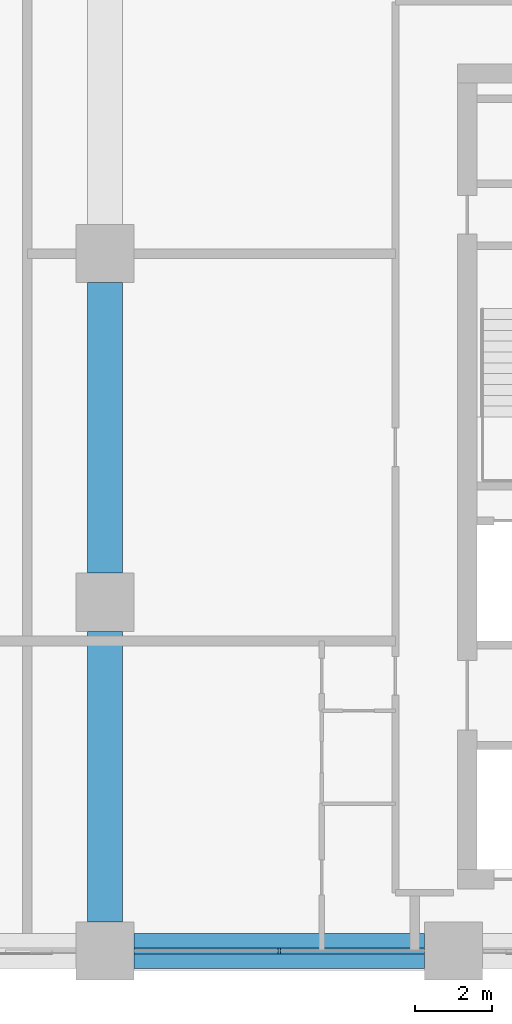
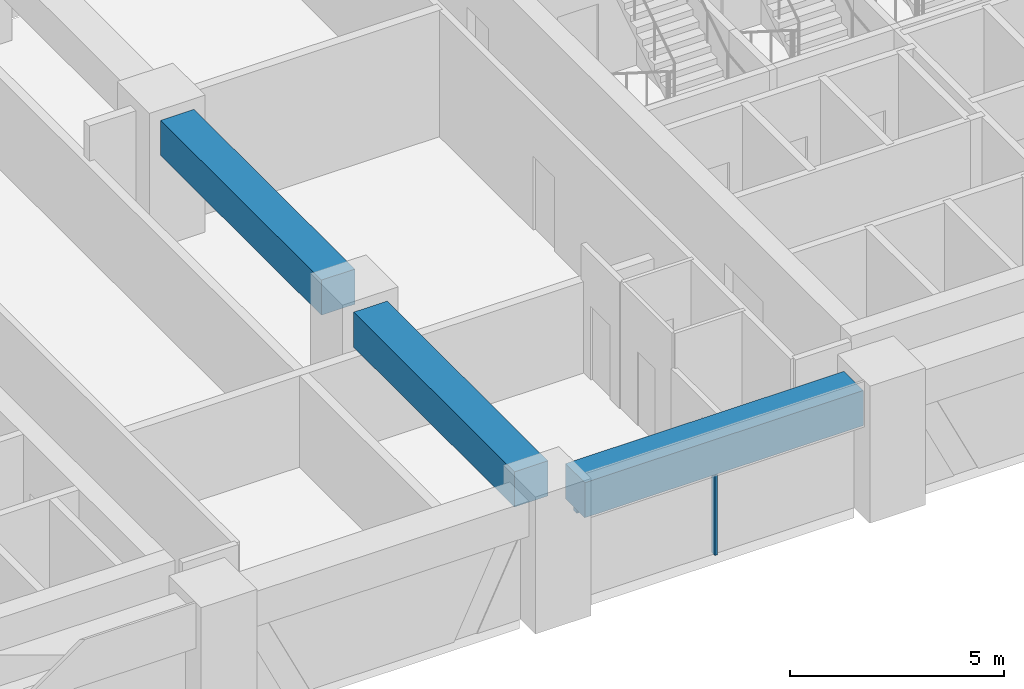
# One storey, part 3 of 14: 3 beams, 2 members, 1 element without a shape of its own.
"""IFC4 building model written with IfcOpenShell, lengths in metres."""

from ifc_helpers import new_model, si_unit, direction, frame, origin, origin_2d, place, context, subcontext, project, spatial, rectangle, extrude, material, material_profile, profile_set, type_object, element, aggregate, save


model = new_model("IFC4")

# Units and contexts
model_context = context("Model", 3, precision=1e-05, world=origin(), true_north=direction((0.0, 1.0)))
body_context = subcontext(model_context, "Body", "Model", "MODEL_VIEW")
ifc_project = project(units=[si_unit("LENGTHUNIT", "METRE"), si_unit("AREAUNIT", "SQUARE_METRE"), si_unit("VOLUMEUNIT", "CUBIC_METRE"), si_unit("PLANEANGLEUNIT", "RADIAN"), si_unit("MASSUNIT", "GRAM", prefix="KILO")], contexts=[model_context])

# Site, building, storey
site_placement = place(None, origin())
site = spatial("IfcSite", under=ifc_project, at=site_placement, CompositionType="ELEMENT")
building_placement = place(site_placement, origin())
building = spatial("IfcBuilding", under=site, at=building_placement, Name="Tessera Arch", CompositionType="ELEMENT")
storey_placement = place(building_placement, frame((0.0, 0.0, 177.800048828125)))
storey = spatial("IfcBuildingStorey", under=building, at=storey_placement, Name="L42", CompositionType="ELEMENT", Elevation=177.800048828125)

# Curtain wall, members
ifc_material_1 = material(Name="CW1 curtain wall")
curtain_wall_type = type_object("IfcCurtainWallType", Name="CW1 curtain wall", PredefinedType="NOTDEFINED", material=ifc_material_1)
curtain_wall_placement = place(storey_placement, origin())
curtain_wall = element("IfcCurtainWall", 1, at=curtain_wall_placement, inside=storey, type_object=curtain_wall_type, Name="CW1 curtain wall S27.0/3 L42", PredefinedType="NOTDEFINED")
ifc_material_2 = material(Name="Anodised aluminium pale metal", Category="aluminium")
ifc_material_profile_1 = material_profile(ifc_material_2, rectangle(XDim=0.159912109375, YDim=0.06005859375, at=origin_2d()), Name="AL 60x160")
ifc_profile_set_1 = profile_set([ifc_material_profile_1], Name="Anodised aluminium pale metal")
member_type_1 = type_object("IfcMemberType", Name="CW1 mullion", PredefinedType="MULLION", material=ifc_profile_set_1)
member_1_placement = place(storey_placement, frame((31.5, 27.0, 0.0), z_axis=(0.0, 0.0, 1.0), x_axis=(0.0, 1.0, 0.0)))
member_1 = element("IfcMember", 2, at=member_1_placement, type_object=member_type_1, Name="CW1 mullion S27.0/3 1", PredefinedType="MULLION", context=body_context, shape_type="SweptSolid", body=[
    extrude(rectangle(XDim=0.159912109375, YDim=0.06005859375, at=origin_2d()), origin(), (0.0, 0.0, 1.0), 2.5),
])
ifc_material_3 = material(Name="Anodised aluminium pale metal", Category="aluminium")
ifc_material_profile_2 = material_profile(ifc_material_3, rectangle(XDim=0.159912109375, YDim=0.10009765625, at=origin_2d()), Name="AL 160x100")
ifc_profile_set_2 = profile_set([ifc_material_profile_2], Name="Anodised aluminium pale metal")
member_type_2 = type_object("IfcMemberType", Name="CW1 transom", PredefinedType="USERDEFINED", material=ifc_profile_set_2)
member_2_placement = place(storey_placement, frame((27.75, 27.0, 2.550048828125), z_axis=(1.0, 0.0, 0.0), x_axis=(0.0, 1.0, 0.0)))
member_2 = element("IfcMember", 3, at=member_2_placement, type_object=member_type_2, Name="CW1 transom S27.0/3 1.1", ObjectType="TRANSOM", PredefinedType="USERDEFINED", context=body_context, shape_type="SweptSolid", body=[
    extrude(rectangle(XDim=0.159912109375, YDim=0.10009765625, at=origin_2d()), origin(), (0.0, 0.0, 1.0), 7.5),
])
aggregate(curtain_wall, [member_1, member_2])

# Beams
ifc_material_4 = material(Name="Concrete C70/85", Category="concrete")
ifc_material_profile_3 = material_profile(ifc_material_4, rectangle(XDim=0.89990234375, YDim=1.0, at=origin_2d()), Name="RC spandrel beam 900 x 1000 Concrete C70/85")
ifc_profile_set_3 = profile_set([ifc_material_profile_3], Name="Concrete C70/85")
beam_type = type_object("IfcBeamType", Name="RC spandrel beam 900 x 1000 Concrete C70/85", PredefinedType="BEAM", material=ifc_profile_set_3)
for number, where, z_axis, x_axis, name in (
    (4, (27.75, 27.0, 3.099853515625), (1.0, 0.0, 0.0), (0.0, 1.0, 0.0), "Spandrel beam L42 S27.0/3"),
    (5, (27.0, 27.75, 3.099853515625), (0.0, 1.0, 0.0), (-1.0, 0.0, 0.0), "Interface beam L42 I0C4D-C4E"),
    (6, (27.0, 36.75, 3.099853515625), (0.0, 1.0, 0.0), (-1.0, 0.0, 0.0), "Interface beam L42 I0C4E-C4F"),
):
    element("IfcBeam", number, at=place(storey_placement, frame(where, z_axis=z_axis, x_axis=x_axis)), inside=storey, type_object=beam_type, Name=name, PredefinedType="BEAM", context=body_context, shape_type="SweptSolid", body=[
        extrude(rectangle(XDim=0.89990234375, YDim=1.0, at=origin_2d()), origin(), (0.0, 0.0, 1.0), 7.5),
    ])

save(model, "model.ifc")
